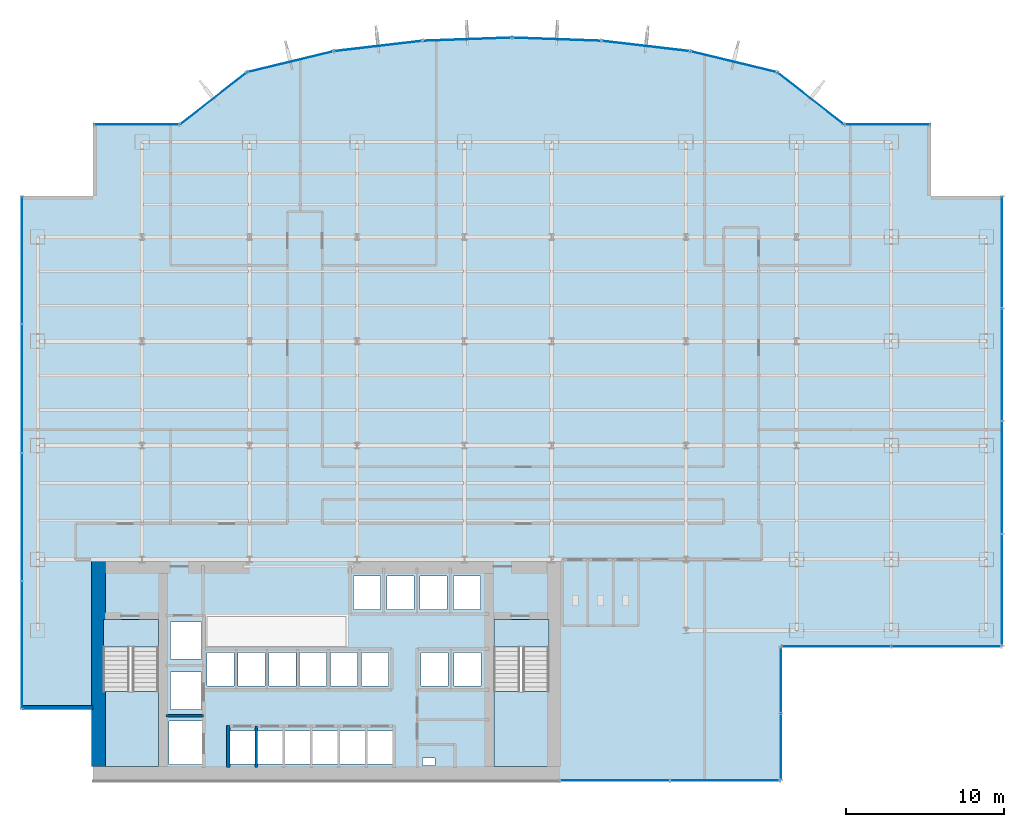
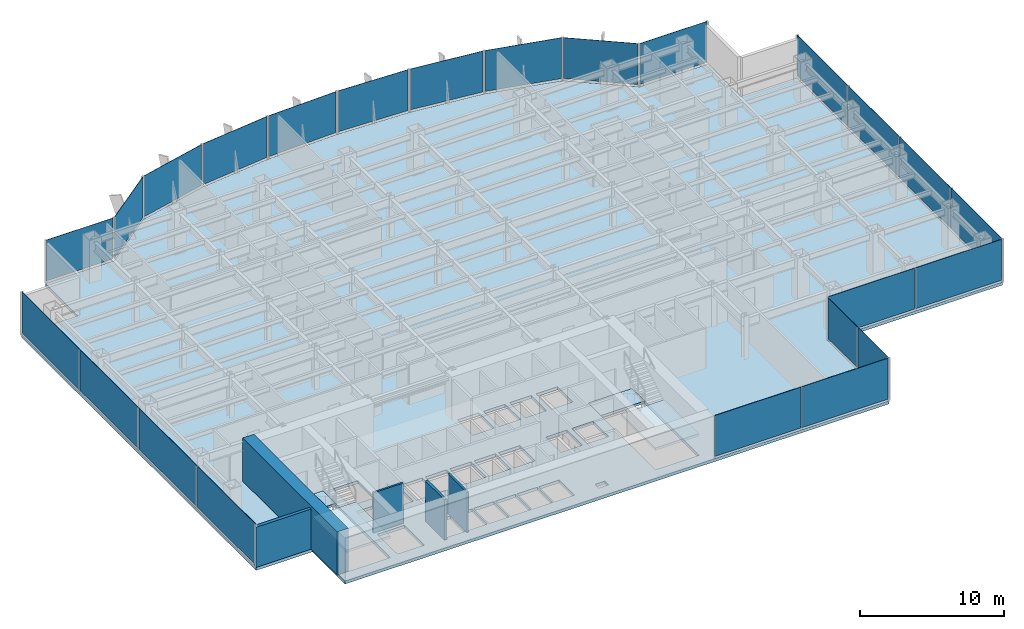
# One storey, part 16 of 22: 24 plates, 5 slabs, 5 walls, 17 elements without a shape of their own.
"""IFC4 building model written with IfcOpenShell, lengths in metres."""

from ifc_helpers import new_model, si_unit, derived_unit, direction, frame, frame_2d, origin, origin_2d, place, context, subcontext, project, spatial, polyline, rectangle, outline, extrude, source, transform, mapped, material, layer, layer_set, type_object, element, aggregate, save


model = new_model("IFC4")

# Units and contexts
model_context = context("Model", 3, precision=1e-05, world=origin(), true_north=direction((0.0, 1.0)))
body_context = subcontext(model_context, "Body", "Model", "MODEL_VIEW")
ifc_project = project(units=[si_unit("LENGTHUNIT", "METRE"), si_unit("AREAUNIT", "SQUARE_METRE"), si_unit("VOLUMEUNIT", "CUBIC_METRE"), si_unit("PLANEANGLEUNIT", "RADIAN"), si_unit("MASSUNIT", "GRAM", prefix="KILO"), derived_unit("THERMALTRANSMITTANCEUNIT", [(si_unit("POWERUNIT", "WATT"), 1), (si_unit("LENGTHUNIT", "METRE"), -2), (si_unit("THERMODYNAMICTEMPERATUREUNIT", "KELVIN"), -1)])], contexts=[model_context])

# Site, building, storey
site_placement = place(None, origin())
site = spatial("IfcSite", under=ifc_project, at=site_placement, CompositionType="ELEMENT")
building_placement = place(site_placement, origin())
building = spatial("IfcBuilding", under=site, at=building_placement, Name="Skarnbrae Concourse Arena and Tower", CompositionType="ELEMENT")
storey_placement = place(building_placement, frame((0.0, 0.0, 76.300048828125)))
storey = spatial("IfcBuildingStorey", under=building, at=storey_placement, Name="L18", CompositionType="ELEMENT", Elevation=76.300048828125)

# Stair, slab
ifc_material_1 = material(Name="Concrete 40 MPa (C40/50)", Category="concrete")
stair_type = type_object("IfcStairType", Name="STAIR-DOGLEG-1650", PredefinedType="HALF_TURN_STAIR", material=ifc_material_1)
stair_1_placement = place(storey_placement, origin())
stair_1 = element("IfcStair", 1, at=stair_1_placement, inside=storey, type_object=stair_type, Name="L18 Protected Exit Stair ST-1", PredefinedType="HALF_TURN_STAIR")
ifc_layer_1 = layer(ifc_material_1, 0.199951171875)
ifc_layer_set_1 = layer_set([ifc_layer_1], Name="Concrete 40 MPa (C40/50)")
slab_type_1 = type_object("IfcSlabType", Name="SLAB-LANDING-200", PredefinedType="LANDING", material=ifc_layer_set_1)
slab_1_placement = place(storey_placement, frame((0.0, 0.0, 1.625)))
slab_1 = element("IfcSlab", 2, at=slab_1_placement, type_object=slab_type_1, Name="ST-1 landing 1", PredefinedType="LANDING", context=body_context, shape_type="SweptSolid", body=[
    extrude(outline(polyline([(5.14990234375, 5.64990234375), (5.14990234375, 0.89990234375), (8.64990234375, 0.89990234375), (8.64990234375, 5.64990234375), (5.14990234375, 5.64990234375)])), origin(), (0.0, 0.0, 1.0), 0.199951171875),
])
aggregate(stair_1, [slab_1])

stair_2_placement = place(storey_placement, origin())
stair_2 = element("IfcStair", 3, at=stair_2_placement, inside=storey, type_object=stair_type, Name="L18 Protected Exit Stair ST-2", PredefinedType="HALF_TURN_STAIR")
slab_2_placement = place(storey_placement, frame((0.0, 0.0, 1.625)))
slab_2 = element("IfcSlab", 4, at=slab_2_placement, type_object=slab_type_1, Name="ST-2 landing 1", PredefinedType="LANDING", context=body_context, shape_type="SweptSolid", body=[
    extrude(outline(polyline([(29.85009765625, 5.64990234375), (29.85009765625, 0.89990234375), (33.35009765625, 0.89990234375), (33.35009765625, 5.64990234375), (29.85009765625, 5.64990234375)])), origin(), (0.0, 0.0, 1.0), 0.199951171875),
])
aggregate(stair_2, [slab_2])

# Slabs
slab_3_placement = place(storey_placement, frame((0.0, 0.0, -0.199951171875)))
element("IfcSlab", 5, at=slab_3_placement, inside=storey, type_object=slab_type_1, Name="L18 Core stair ST1 floor landing", PredefinedType="LANDING", context=body_context, shape_type="SweptSolid", body=[
    extrude(outline(polyline([(5.14990234375, 10.199951171875), (5.14990234375, 8.449951171875), (8.64990234375, 8.449951171875), (8.64990234375, 10.199951171875), (5.14990234375, 10.199951171875)])), origin(), (0.0, 0.0, 1.0), 0.199951171875),
])
slab_4_placement = place(storey_placement, frame((0.0, 0.0, -0.199951171875)))
element("IfcSlab", 6, at=slab_4_placement, inside=storey, type_object=slab_type_1, Name="L18 Core stair ST2 floor landing", PredefinedType="LANDING", context=body_context, shape_type="SweptSolid", body=[
    extrude(outline(polyline([(29.85009765625, 10.199951171875), (29.85009765625, 8.449951171875), (33.35009765625, 8.449951171875), (33.35009765625, 10.199951171875), (29.85009765625, 10.199951171875)])), origin(), (0.0, 0.0, 1.0), 0.199951171875),
])
ifc_layer_2 = layer(ifc_material_1, 0.25)
ifc_layer_set_2 = layer_set([ifc_layer_2], Name="Concrete 40 MPa (C40/50)")
slab_type_2 = type_object("IfcSlabType", Name="SLAB-TOWER-250", PredefinedType="FLOOR", material=ifc_layer_set_2)
slab_5_placement = place(storey_placement, frame((0.0, 0.0, -0.25)))
element("IfcSlab", 7, at=slab_5_placement, inside=storey, type_object=slab_type_2, Name="L18 Structural floor slab", PredefinedType="FLOOR", context=body_context, shape_type="SweptSolid", body=[
    extrude(outline(polyline([(4.5, 0.0), (48.0, 0.0), (48.0, 8.5), (62.0, 8.5), (62.0, 37.0), (57.5, 37.0), (57.5, 41.5), (52.0, 41.5), (47.766357421875, 44.811767578125), (42.2724609375, 46.140380859375), (36.65380859375, 46.796875), (31.0, 47.0), (25.34619140625, 46.796875), (19.7275390625, 46.140380859375), (14.233642578125, 44.811767578125), (10.0, 41.5), (4.5, 41.5), (4.5, 37.0), (0.0, 37.0), (0.0, 4.5), (4.5, 4.5), (4.5, 0.0)]), holes=[polyline([(13.14501953125, 3.155029296875), (14.7548828125, 3.155029296875), (14.7548828125, 1.044921875), (13.14501953125, 1.044921875), (13.14501953125, 3.155029296875)]), polyline([(16.4951171875, 3.155029296875), (16.4951171875, 1.044921875), (14.885009765625, 1.044921875), (14.885009765625, 3.155029296875), (16.4951171875, 3.155029296875)]), polyline([(18.235107421875, 3.155029296875), (18.235107421875, 1.044921875), (16.625, 1.044921875), (16.625, 3.155029296875), (18.235107421875, 3.155029296875)]), polyline([(18.364990234375, 3.155029296875), (19.97509765625, 3.155029296875), (19.97509765625, 1.044921875), (18.364990234375, 1.044921875), (18.364990234375, 3.155029296875)]), polyline([(11.455078125, 3.780029296875), (11.455078125, 1.02001953125), (9.294921875, 1.02001953125), (9.294921875, 3.780029296875), (11.455078125, 3.780029296875)]), polyline([(8.64990234375, 0.89990234375), (5.14990234375, 0.89990234375), (5.14990234375, 10.199951171875), (8.64990234375, 10.199951171875), (8.64990234375, 0.89990234375)]), polyline([(9.39501953125, 6.8798828125), (11.35498046875, 6.8798828125), (11.35498046875, 4.52001953125), (9.39501953125, 4.52001953125), (9.39501953125, 6.8798828125)]), polyline([(13.429931640625, 8.10498046875), (13.429931640625, 5.9951171875), (11.719970703125, 5.9951171875), (11.719970703125, 8.10498046875), (13.429931640625, 8.10498046875)]), polyline([(15.3798828125, 8.10498046875), (15.3798828125, 5.9951171875), (13.669921875, 5.9951171875), (13.669921875, 8.10498046875), (15.3798828125, 8.10498046875)]), polyline([(15.6201171875, 8.10498046875), (17.330078125, 8.10498046875), (17.330078125, 5.9951171875), (15.6201171875, 5.9951171875), (15.6201171875, 8.10498046875)]), polyline([(19.280029296875, 8.10498046875), (19.280029296875, 5.9951171875), (17.570068359375, 5.9951171875), (17.570068359375, 8.10498046875), (19.280029296875, 8.10498046875)]), polyline([(11.35498046875, 10.054931640625), (11.35498046875, 7.695068359375), (9.39501953125, 7.695068359375), (9.39501953125, 10.054931640625), (11.35498046875, 10.054931640625)]), polyline([(25.35009765625, 1.449951171875), (26.1201171875, 1.449951171875), (26.1201171875, 0.949951171875), (25.35009765625, 0.949951171875), (25.35009765625, 1.449951171875)]), polyline([(21.715087890625, 3.155029296875), (21.715087890625, 1.044921875), (20.10498046875, 1.044921875), (20.10498046875, 3.155029296875), (21.715087890625, 3.155029296875)]), polyline([(23.455078125, 3.155029296875), (23.455078125, 1.044921875), (21.844970703125, 1.044921875), (21.844970703125, 3.155029296875), (23.455078125, 3.155029296875)]), polyline([(33.35009765625, 10.199951171875), (33.35009765625, 0.89990234375), (29.85009765625, 0.89990234375), (29.85009765625, 10.199951171875), (33.35009765625, 10.199951171875)]), polyline([(21.22998046875, 8.10498046875), (21.22998046875, 5.9951171875), (19.52001953125, 5.9951171875), (19.52001953125, 8.10498046875), (21.22998046875, 8.10498046875)]), polyline([(23.179931640625, 8.10498046875), (23.179931640625, 5.9951171875), (21.469970703125, 5.9951171875), (21.469970703125, 8.10498046875), (23.179931640625, 8.10498046875)]), polyline([(25.235107421875, 8.10498046875), (26.945068359375, 8.10498046875), (26.945068359375, 5.9951171875), (25.235107421875, 5.9951171875), (25.235107421875, 8.10498046875)]), polyline([(29.044921875, 8.10498046875), (29.044921875, 5.9951171875), (27.3349609375, 5.9951171875), (27.3349609375, 8.10498046875), (29.044921875, 8.10498046875)]), polyline([(22.695068359375, 12.955078125), (22.695068359375, 10.844970703125), (20.985107421875, 10.844970703125), (20.985107421875, 12.955078125), (22.695068359375, 12.955078125)]), polyline([(23.0849609375, 12.955078125), (24.794921875, 12.955078125), (24.794921875, 10.844970703125), (23.0849609375, 10.844970703125), (23.0849609375, 12.955078125)]), polyline([(26.89501953125, 12.955078125), (26.89501953125, 10.844970703125), (25.18505859375, 10.844970703125), (25.18505859375, 12.955078125), (26.89501953125, 12.955078125)]), polyline([(28.9951171875, 12.955078125), (28.9951171875, 10.844970703125), (27.284912109375, 10.844970703125), (27.284912109375, 12.955078125), (28.9951171875, 12.955078125)])]), origin(), (0.0, 0.0, 1.0), 0.25),
])

# Curtain wall, plates
ifc_material_2 = material(Name="Bronze anodised aluminium 6063-T6", Category="aluminium")
curtain_wall_type = type_object("IfcCurtainWallType", Name="CW-SYS-02-LOWZONE", PredefinedType="USERDEFINED", material=ifc_material_2)
curtain_wall_1_placement = place(storey_placement, origin())
curtain_wall_1 = element("IfcCurtainWall", 8, at=curtain_wall_1_placement, inside=storey, type_object=curtain_wall_type, Name="L18 Unitised curtain wall CW-L18-SE-SPINE", ObjectType="UNITISED CURTAIN WALL", PredefinedType="USERDEFINED")
ifc_material_3 = material(Name="Low-E triple insulating glass", Category="glass")
ifc_layer_3 = layer(ifc_material_3, 0.031982421875)
ifc_layer_set_3 = layer_set([ifc_layer_3], Name="Low-E triple insulating glass")
plate_type = type_object("IfcPlateType", Name="CWP-CW-02", PredefinedType="CURTAIN_PANEL", material=ifc_layer_set_3)
shared_shape_1 = source(origin(), body_context, "Body", "SweptSolid", [
    extrude(rectangle(XDim=6.8798828125, YDim=0.031982421875, at=origin_2d()), origin(), (0.0, 0.0, 1.0), 3.4599609375),
])
plate_1_placement = place(storey_placement, frame((37.52001953125, 0.0, 0.18994140625), z_axis=(0.0, 0.0, 1.0), x_axis=(1.0, 0.0, 0.0)))
plate_1 = element("IfcPlate", 9, at=plate_1_placement, type_object=plate_type, Name="CW-L18-SE-SPINE Low-E Glazing Panel 1", PredefinedType="CURTAIN_PANEL", context=body_context, shape_type="MappedRepresentation", body=[
    mapped(shared_shape_1, transform((0.0, 0.0, 0.0))),
])
plate_2_placement = place(storey_placement, frame((44.47998046875, 0.0, 0.18994140625), z_axis=(0.0, 0.0, 1.0), x_axis=(1.0, 0.0, 0.0)))
plate_2 = element("IfcPlate", 10, at=plate_2_placement, type_object=plate_type, Name="CW-L18-SE-SPINE Low-E Glazing Panel 2", PredefinedType="CURTAIN_PANEL", context=body_context, shape_type="MappedRepresentation", body=[
    mapped(shared_shape_1, transform((0.0, 0.0, 0.0))),
])
aggregate(curtain_wall_1, [plate_1, plate_2])

curtain_wall_2_placement = place(storey_placement, origin())
curtain_wall_2 = element("IfcCurtainWall", 11, at=curtain_wall_2_placement, inside=storey, type_object=curtain_wall_type, Name="L18 Unitised curtain wall CW-L18-E03", ObjectType="UNITISED CURTAIN WALL", PredefinedType="USERDEFINED")
plate_3_placement = place(storey_placement, frame((51.52001953125, 8.5, 0.18994140625), z_axis=(0.0, 0.0, 1.0), x_axis=(1.0, 0.0, 0.0)))
plate_3 = element("IfcPlate", 12, at=plate_3_placement, type_object=plate_type, Name="CW-L18-E03 Low-E Glazing Panel 1", PredefinedType="CURTAIN_PANEL", context=body_context, shape_type="MappedRepresentation", body=[
    mapped(shared_shape_1, transform((0.0, 0.0, 0.0))),
])
plate_4_placement = place(storey_placement, frame((58.47998046875, 8.5, 0.18994140625), z_axis=(0.0, 0.0, 1.0), x_axis=(1.0, 0.0, 0.0)))
plate_4 = element("IfcPlate", 13, at=plate_4_placement, type_object=plate_type, Name="CW-L18-E03 Low-E Glazing Panel 2", PredefinedType="CURTAIN_PANEL", context=body_context, shape_type="MappedRepresentation", body=[
    mapped(shared_shape_1, transform((0.0, 0.0, 0.0))),
])
aggregate(curtain_wall_2, [plate_3, plate_4])

curtain_wall_3_placement = place(storey_placement, origin())
curtain_wall_3 = element("IfcCurtainWall", 14, at=curtain_wall_3_placement, inside=storey, type_object=curtain_wall_type, Name="L18 Unitised curtain wall CW-L18-E02", ObjectType="UNITISED CURTAIN WALL", PredefinedType="USERDEFINED")
shared_shape_2 = source(origin(), body_context, "Body", "SweptSolid", [
    extrude(rectangle(XDim=4.1298828125, YDim=0.031982421875, at=origin_2d()), origin(), (0.0, 0.0, 1.0), 3.4599609375),
])
plate_5_placement = place(storey_placement, frame((48.0, 2.14501953125, 0.18994140625), z_axis=(0.0, 0.0, 1.0), x_axis=(0.0, 1.0, 0.0)))
plate_5 = element("IfcPlate", 15, at=plate_5_placement, type_object=plate_type, Name="CW-L18-E02 Low-E Glazing Panel 1", PredefinedType="CURTAIN_PANEL", context=body_context, shape_type="MappedRepresentation", body=[
    mapped(shared_shape_2, transform((0.0, 0.0, 0.0))),
])
plate_6_placement = place(storey_placement, frame((48.0, 6.35498046875, 0.18994140625), z_axis=(0.0, 0.0, 1.0), x_axis=(0.0, 1.0, 0.0)))
plate_6 = element("IfcPlate", 16, at=plate_6_placement, type_object=plate_type, Name="CW-L18-E02 Low-E Glazing Panel 2", PredefinedType="CURTAIN_PANEL", context=body_context, shape_type="MappedRepresentation", body=[
    mapped(shared_shape_2, transform((0.0, 0.0, 0.0))),
])
aggregate(curtain_wall_3, [plate_5, plate_6])

curtain_wall_4_placement = place(storey_placement, origin())
curtain_wall_4 = element("IfcCurtainWall", 17, at=curtain_wall_4_placement, inside=storey, type_object=curtain_wall_type, Name="L18 Unitised curtain wall CW-L18-E04", ObjectType="UNITISED CURTAIN WALL", PredefinedType="USERDEFINED")
shared_shape_3 = source(origin(), body_context, "Body", "SweptSolid", [
    extrude(rectangle(XDim=7.0048828125, YDim=0.031982421875, at=origin_2d()), origin(), (0.0, 0.0, 1.0), 3.4599609375),
])
plate_7_placement = place(storey_placement, frame((62.0, 12.08251953125, 0.18994140625), z_axis=(0.0, 0.0, 1.0), x_axis=(0.0, 1.0, 0.0)))
plate_7 = element("IfcPlate", 18, at=plate_7_placement, type_object=plate_type, Name="CW-L18-E04 Low-E Glazing Panel 1", PredefinedType="CURTAIN_PANEL", context=body_context, shape_type="MappedRepresentation", body=[
    mapped(shared_shape_3, transform((0.0, 0.0, 0.0))),
])
plate_8_placement = place(storey_placement, frame((62.0, 33.41748046875, 0.18994140625), z_axis=(0.0, 0.0, 1.0), x_axis=(0.0, 1.0, 0.0)))
plate_8 = element("IfcPlate", 19, at=plate_8_placement, type_object=plate_type, Name="CW-L18-E04 Low-E Glazing Panel 4", PredefinedType="CURTAIN_PANEL", context=body_context, shape_type="MappedRepresentation", body=[
    mapped(shared_shape_3, transform((0.0, 0.0, 0.0))),
])
shared_shape_4 = source(origin(), body_context, "Body", "SweptSolid", [
    extrude(rectangle(XDim=7.044921875, YDim=0.031982421875, at=origin_2d()), origin(), (0.0, 0.0, 1.0), 3.4599609375),
])
plate_9_placement = place(storey_placement, frame((62.0, 19.1875, 0.18994140625), z_axis=(0.0, 0.0, 1.0), x_axis=(0.0, 1.0, 0.0)))
plate_9 = element("IfcPlate", 20, at=plate_9_placement, type_object=plate_type, Name="CW-L18-E04 Low-E Glazing Panel 2", PredefinedType="CURTAIN_PANEL", context=body_context, shape_type="MappedRepresentation", body=[
    mapped(shared_shape_4, transform((0.0, 0.0, 0.0))),
])
plate_10_placement = place(storey_placement, frame((62.0, 26.3125, 0.18994140625), z_axis=(0.0, 0.0, 1.0), x_axis=(0.0, 1.0, 0.0)))
plate_10 = element("IfcPlate", 21, at=plate_10_placement, type_object=plate_type, Name="CW-L18-E04 Low-E Glazing Panel 3", PredefinedType="CURTAIN_PANEL", context=body_context, shape_type="MappedRepresentation", body=[
    mapped(shared_shape_4, transform((0.0, 0.0, 0.0))),
])
aggregate(curtain_wall_4, [plate_7, plate_9, plate_10, plate_8])

# Curtain wall, plate
curtain_wall_5_placement = place(storey_placement, origin())
curtain_wall_5 = element("IfcCurtainWall", 22, at=curtain_wall_5_placement, inside=storey, type_object=curtain_wall_type, Name="L18 Unitised curtain wall CW-L18-E07", ObjectType="UNITISED CURTAIN WALL", PredefinedType="USERDEFINED")
shared_shape_5 = source(origin(), body_context, "Body", "SweptSolid", [
    extrude(rectangle(XDim=5.340087890625, YDim=0.031982421875, at=origin_2d()), origin(), (0.0, 0.0, 1.0), 3.4599609375),
])
plate_11_placement = place(storey_placement, frame((54.75, 41.5, 0.18994140625), z_axis=(0.0, 0.0, 1.0), x_axis=(-1.0, 0.0, 0.0)))
plate_11 = element("IfcPlate", 23, at=plate_11_placement, type_object=plate_type, Name="CW-L18-E07 Low-E Glazing Panel 1", PredefinedType="CURTAIN_PANEL", context=body_context, shape_type="MappedRepresentation", body=[
    mapped(shared_shape_5, transform((0.0, 0.0, 0.0))),
])
aggregate(curtain_wall_5, [plate_11])

curtain_wall_6_placement = place(storey_placement, origin())
curtain_wall_6 = element("IfcCurtainWall", 24, at=curtain_wall_6_placement, inside=storey, type_object=curtain_wall_type, Name="L18 Unitised curtain wall CW-L18-E16", ObjectType="UNITISED CURTAIN WALL", PredefinedType="USERDEFINED")
plate_12_placement = place(storey_placement, frame((7.25, 41.5, 0.18994140625), z_axis=(0.0, 0.0, 1.0), x_axis=(-1.0, 0.0, 0.0)))
plate_12 = element("IfcPlate", 25, at=plate_12_placement, type_object=plate_type, Name="CW-L18-E16 Low-E Glazing Panel 1", PredefinedType="CURTAIN_PANEL", context=body_context, shape_type="MappedRepresentation", body=[
    mapped(shared_shape_5, transform((0.0, 0.0, 0.0))),
])
aggregate(curtain_wall_6, [plate_12])

curtain_wall_7_placement = place(storey_placement, origin())
curtain_wall_7 = element("IfcCurtainWall", 26, at=curtain_wall_7_placement, inside=storey, type_object=curtain_wall_type, Name="L18 Unitised curtain wall CW-L18-E08", ObjectType="UNITISED CURTAIN WALL", PredefinedType="USERDEFINED")
shared_shape_6 = source(origin(), body_context, "Body", "SweptSolid", [
    extrude(rectangle(XDim=5.215087890625, YDim=0.031982421875, at=origin_2d()), origin(), (0.0, 0.0, 1.0), 3.4599609375),
])
plate_13_placement = place(storey_placement, frame((49.88330078125, 43.156005859375, 0.18994140625), z_axis=(0.0, 0.0, 1.0), x_axis=(-0.787651726054, 0.616120733658, 0.0)))
plate_13 = element("IfcPlate", 27, at=plate_13_placement, type_object=plate_type, Name="CW-L18-E08 Low-E Glazing Panel 1", PredefinedType="CURTAIN_PANEL", context=body_context, shape_type="MappedRepresentation", body=[
    mapped(shared_shape_6, transform((0.0, 0.0, 0.0))),
])
aggregate(curtain_wall_7, [plate_13])

curtain_wall_8_placement = place(storey_placement, origin())
curtain_wall_8 = element("IfcCurtainWall", 28, at=curtain_wall_8_placement, inside=storey, type_object=curtain_wall_type, Name="L18 Unitised curtain wall CW-L18-E15", ObjectType="UNITISED CURTAIN WALL", PredefinedType="USERDEFINED")
plate_14_placement = place(storey_placement, frame((12.11669921875, 43.156005859375, 0.18994140625), z_axis=(0.0, 0.0, 1.0), x_axis=(-0.787651726054, -0.616120733658, 0.0)))
plate_14 = element("IfcPlate", 29, at=plate_14_placement, type_object=plate_type, Name="CW-L18-E15 Low-E Glazing Panel 1", PredefinedType="CURTAIN_PANEL", context=body_context, shape_type="MappedRepresentation", body=[
    mapped(shared_shape_6, transform((0.0, 0.0, 0.0))),
])
aggregate(curtain_wall_8, [plate_14])

curtain_wall_9_placement = place(storey_placement, origin())
curtain_wall_9 = element("IfcCurtainWall", 30, at=curtain_wall_9_placement, inside=storey, type_object=curtain_wall_type, Name="L18 Unitised curtain wall CW-L18-E09", ObjectType="UNITISED CURTAIN WALL", PredefinedType="USERDEFINED")
shared_shape_7 = source(origin(), body_context, "Body", "SweptSolid", [
    extrude(rectangle(XDim=5.4921875, YDim=0.031982421875, at=origin_2d()), origin(), (0.0, 0.0, 1.0), 3.4599609375),
])
plate_15_placement = place(storey_placement, frame((45.019287109375, 45.47607421875, 0.18994140625), z_axis=(0.0, 0.0, 1.0), x_axis=(-0.971973721569, 0.235089524607, 0.0)))
plate_15 = element("IfcPlate", 31, at=plate_15_placement, type_object=plate_type, Name="CW-L18-E09 Low-E Glazing Panel 1", PredefinedType="CURTAIN_PANEL", context=body_context, shape_type="MappedRepresentation", body=[
    mapped(shared_shape_7, transform((0.0, 0.0, 0.0))),
])
aggregate(curtain_wall_9, [plate_15])

curtain_wall_10_placement = place(storey_placement, origin())
curtain_wall_10 = element("IfcCurtainWall", 32, at=curtain_wall_10_placement, inside=storey, type_object=curtain_wall_type, Name="L18 Unitised curtain wall CW-L18-E14", ObjectType="UNITISED CURTAIN WALL", PredefinedType="USERDEFINED")
plate_16_placement = place(storey_placement, frame((16.980712890625, 45.47607421875, 0.18994140625), z_axis=(0.0, 0.0, 1.0), x_axis=(-0.971973721569, -0.235089524607, 0.0)))
plate_16 = element("IfcPlate", 33, at=plate_16_placement, type_object=plate_type, Name="CW-L18-E14 Low-E Glazing Panel 1", PredefinedType="CURTAIN_PANEL", context=body_context, shape_type="MappedRepresentation", body=[
    mapped(shared_shape_7, transform((0.0, 0.0, 0.0))),
])
aggregate(curtain_wall_10, [plate_16])

curtain_wall_11_placement = place(storey_placement, origin())
curtain_wall_11 = element("IfcCurtainWall", 34, at=curtain_wall_11_placement, inside=storey, type_object=curtain_wall_type, Name="L18 Unitised curtain wall CW-L18-E10", ObjectType="UNITISED CURTAIN WALL", PredefinedType="USERDEFINED")
shared_shape_8 = source(origin(), body_context, "Body", "SweptSolid", [
    extrude(rectangle(XDim=5.49658203125, YDim=0.031982421875, at=origin_2d()), origin(), (0.0, 0.0, 1.0), 3.4599609375),
])
plate_17_placement = place(storey_placement, frame((39.463134765625, 46.46875, 0.18994140625), z_axis=(0.0, 0.0, 1.0), x_axis=(-0.99324457001, 0.116039752435, 0.0)))
plate_17 = element("IfcPlate", 35, at=plate_17_placement, type_object=plate_type, Name="CW-L18-E10 Low-E Glazing Panel 1", PredefinedType="CURTAIN_PANEL", context=body_context, shape_type="MappedRepresentation", body=[
    mapped(shared_shape_8, transform((0.0, 0.0, 0.0))),
])
aggregate(curtain_wall_11, [plate_17])

curtain_wall_12_placement = place(storey_placement, origin())
curtain_wall_12 = element("IfcCurtainWall", 36, at=curtain_wall_12_placement, inside=storey, type_object=curtain_wall_type, Name="L18 Unitised curtain wall CW-L18-E13", ObjectType="UNITISED CURTAIN WALL", PredefinedType="USERDEFINED")
plate_18_placement = place(storey_placement, frame((22.536865234375, 46.46875, 0.18994140625), z_axis=(0.0, 0.0, 1.0), x_axis=(-0.99324457001, -0.116039752435, 0.0)))
plate_18 = element("IfcPlate", 37, at=plate_18_placement, type_object=plate_type, Name="CW-L18-E13 Low-E Glazing Panel 1", PredefinedType="CURTAIN_PANEL", context=body_context, shape_type="MappedRepresentation", body=[
    mapped(shared_shape_8, transform((0.0, 0.0, 0.0))),
])
aggregate(curtain_wall_12, [plate_18])

curtain_wall_13_placement = place(storey_placement, origin())
curtain_wall_13 = element("IfcCurtainWall", 38, at=curtain_wall_13_placement, inside=storey, type_object=curtain_wall_type, Name="L18 Unitised curtain wall CW-L18-E11", ObjectType="UNITISED CURTAIN WALL", PredefinedType="USERDEFINED")
shared_shape_9 = source(origin(), body_context, "Body", "SweptSolid", [
    extrude(rectangle(XDim=5.49755859375, YDim=0.031982421875, at=origin_2d()), origin(), (0.0, 0.0, 1.0), 3.4599609375),
])
plate_19_placement = place(storey_placement, frame((33.826904296875, 46.8984375, 0.18994140625), z_axis=(0.0, 0.0, 1.0), x_axis=(-0.999355425188, 0.035898943527, 0.0)))
plate_19 = element("IfcPlate", 39, at=plate_19_placement, type_object=plate_type, Name="CW-L18-E11 Low-E Glazing Panel 1", PredefinedType="CURTAIN_PANEL", context=body_context, shape_type="MappedRepresentation", body=[
    mapped(shared_shape_9, transform((0.0, 0.0, 0.0))),
])
aggregate(curtain_wall_13, [plate_19])

curtain_wall_14_placement = place(storey_placement, origin())
curtain_wall_14 = element("IfcCurtainWall", 40, at=curtain_wall_14_placement, inside=storey, type_object=curtain_wall_type, Name="L18 Unitised curtain wall CW-L18-E12", ObjectType="UNITISED CURTAIN WALL", PredefinedType="USERDEFINED")
plate_20_placement = place(storey_placement, frame((28.173095703125, 46.8984375, 0.18994140625), z_axis=(0.0, 0.0, 1.0), x_axis=(-0.999355425188, -0.035898943527, 0.0)))
plate_20 = element("IfcPlate", 41, at=plate_20_placement, type_object=plate_type, Name="CW-L18-E12 Low-E Glazing Panel 1", PredefinedType="CURTAIN_PANEL", context=body_context, shape_type="MappedRepresentation", body=[
    mapped(shared_shape_9, transform((0.0, 0.0, 0.0))),
])
aggregate(curtain_wall_14, [plate_20])

# Curtain wall, plates
curtain_wall_15_placement = place(storey_placement, origin())
curtain_wall_15 = element("IfcCurtainWall", 42, at=curtain_wall_15_placement, inside=storey, type_object=curtain_wall_type, Name="L18 Unitised curtain wall CW-L18-E19", ObjectType="UNITISED CURTAIN WALL", PredefinedType="USERDEFINED")
shared_shape_10 = source(origin(), body_context, "Body", "SweptSolid", [
    extrude(rectangle(XDim=8.0048828125, YDim=0.031982421875, at=origin_2d()), origin(), (0.0, 0.0, 1.0), 3.4599609375),
])
plate_21_placement = place(storey_placement, frame((0.0, 32.91748046875, 0.18994140625), z_axis=(0.0, 0.0, 1.0), x_axis=(0.0, -1.0, 0.0)))
plate_21 = element("IfcPlate", 43, at=plate_21_placement, type_object=plate_type, Name="CW-L18-E19 Low-E Glazing Panel 1", PredefinedType="CURTAIN_PANEL", context=body_context, shape_type="MappedRepresentation", body=[
    mapped(shared_shape_10, transform((0.0, 0.0, 0.0))),
])
plate_22_placement = place(storey_placement, frame((0.0, 8.58251953125, 0.18994140625), z_axis=(0.0, 0.0, 1.0), x_axis=(0.0, -1.0, 0.0)))
plate_22 = element("IfcPlate", 44, at=plate_22_placement, type_object=plate_type, Name="CW-L18-E19 Low-E Glazing Panel 4", PredefinedType="CURTAIN_PANEL", context=body_context, shape_type="MappedRepresentation", body=[
    mapped(shared_shape_10, transform((0.0, 0.0, 0.0))),
])
shared_shape_11 = source(origin(), body_context, "Body", "SweptSolid", [
    extrude(rectangle(XDim=8.044921875, YDim=0.031982421875, at=origin_2d()), origin(), (0.0, 0.0, 1.0), 3.4599609375),
])
plate_23_placement = place(storey_placement, frame((0.0, 24.8125, 0.18994140625), z_axis=(0.0, 0.0, 1.0), x_axis=(0.0, -1.0, 0.0)))
plate_23 = element("IfcPlate", 45, at=plate_23_placement, type_object=plate_type, Name="CW-L18-E19 Low-E Glazing Panel 2", PredefinedType="CURTAIN_PANEL", context=body_context, shape_type="MappedRepresentation", body=[
    mapped(shared_shape_11, transform((0.0, 0.0, 0.0))),
])
plate_24_placement = place(storey_placement, frame((0.0, 16.6875, 0.18994140625), z_axis=(0.0, 0.0, 1.0), x_axis=(0.0, -1.0, 0.0)))
plate_24 = element("IfcPlate", 46, at=plate_24_placement, type_object=plate_type, Name="CW-L18-E19 Low-E Glazing Panel 3", PredefinedType="CURTAIN_PANEL", context=body_context, shape_type="MappedRepresentation", body=[
    mapped(shared_shape_11, transform((0.0, 0.0, 0.0))),
])
aggregate(curtain_wall_15, [plate_21, plate_23, plate_24, plate_22])

# Walls
ifc_material_4 = material(Name="Concrete 70 MPa (C70/85)", Category="concrete")
ifc_layer_4 = layer(ifc_material_4, 0.89990234375)
ifc_layer_set_4 = layer_set([ifc_layer_4], Name="Concrete 70 MPa (C70/85)")
wall_type_1 = type_object("IfcWallType", Name="WALL-CORE-900-C70", PredefinedType="SHEAR", material=ifc_layer_set_4)
shared_shape_12 = source(origin(), body_context, "Body", "SweptSolid", [
    extrude(rectangle(XDim=13.10009765625, YDim=0.89990234375, at=frame_2d((6.550048828125, 0.0))), origin(), (0.0, 0.0, 1.0), 3.64990234375),
])
wall_1_placement = place(storey_placement, frame((4.85009765625, 0.89990234375, 0.0), z_axis=(0.0, 0.0, 1.0), x_axis=(0.0, 1.0, 0.0)))
element("IfcWall", 47, at=wall_1_placement, inside=storey, type_object=wall_type_1, Name="L18 Rear core shear wall CW-W", PredefinedType="SHEAR", context=body_context, shape_type="MappedRepresentation", body=[
    mapped(shared_shape_12, transform((0.0, 0.0, 0.0))),
])
ifc_material_5 = material(Name="Precast concrete 40 MPa (C40/50)", Category="concrete")
ifc_layer_5 = layer(ifc_material_5, 0.25)
ifc_layer_set_5 = layer_set([ifc_layer_5], Name="Precast concrete 40 MPa (C40/50)")
wall_type_2 = type_object("IfcWallType", Name="WALL-EXT-SPANDREL-250", PredefinedType="STANDARD", material=ifc_layer_set_5)
shared_shape_13 = source(origin(), body_context, "Body", "SweptSolid", [
    extrude(rectangle(XDim=4.5, YDim=0.25, at=frame_2d((2.25, 0.0))), origin(), (0.0, 0.0, 1.0), 3.39990234375),
])
wall_2_placement = place(storey_placement, frame((0.0, 4.625, 0.0), z_axis=(0.0, 0.0, 1.0), x_axis=(1.0, 0.0, 0.0)))
element("IfcWall", 48, at=wall_2_placement, inside=storey, type_object=wall_type_2, Name="L18 Notched corner insulated return wall 20", PredefinedType="STANDARD", context=body_context, shape_type="MappedRepresentation", body=[
    mapped(shared_shape_13, transform((0.0, 0.0, 0.0))),
])
ifc_material_6 = material(Name="Gypsum board on cold-formed steel studs", Category="steel")
ifc_layer_6 = layer(ifc_material_6, 0.14990234375)
ifc_layer_set_6 = layer_set([ifc_layer_6], Name="Gypsum board on cold-formed steel studs")
wall_type_3 = type_object("IfcWallType", Name="WALL-PART-150", PredefinedType="PARTITIONING", material=ifc_layer_set_6)
shared_shape_14 = source(origin(), body_context, "Body", "SweptSolid", [
    extrude(rectangle(XDim=2.39990234375, YDim=0.14990234375, at=frame_2d((1.199951171875, 0.0))), origin(), (0.0, 0.0, 1.0), 3.39990234375),
])
wall_3_placement = place(storey_placement, frame((9.10009765625, 4.10009765625, 0.0), z_axis=(0.0, 0.0, 1.0), x_axis=(1.0, 0.0, 0.0)))
element("IfcWall", 49, at=wall_3_placement, inside=storey, type_object=wall_type_3, Name="L18 Interior partition wall W-L18-FL-D1", PredefinedType="PARTITIONING", context=body_context, shape_type="MappedRepresentation", body=[
    mapped(shared_shape_14, transform((0.0, 0.0, 0.0))),
])
ifc_layer_7 = layer(ifc_material_6, 0.199951171875)
ifc_layer_set_7 = layer_set([ifc_layer_7], Name="Gypsum board on cold-formed steel studs")
wall_type_4 = type_object("IfcWallType", Name="WALL-PART-200-2HR", PredefinedType="PARTITIONING", material=ifc_layer_set_7)
shared_shape_15 = source(origin(), body_context, "Body", "SweptSolid", [
    extrude(rectangle(XDim=2.64990234375, YDim=0.199951171875, at=frame_2d((1.324951171875, 0.0))), origin(), (0.0, 0.0, 1.0), 3.39990234375),
])
wall_4_placement = place(storey_placement, frame((13.050048828125, 0.85009765625, 0.0), z_axis=(0.0, 0.0, 1.0), x_axis=(0.0, 1.0, 0.0)))
element("IfcWall", 50, at=wall_4_placement, inside=storey, type_object=wall_type_4, Name="L18 Interior partition wall W-L18-B1-W", PredefinedType="PARTITIONING", context=body_context, shape_type="MappedRepresentation", body=[
    mapped(shared_shape_15, transform((0.0, 0.0, 0.0))),
])
shared_shape_16 = source(origin(), body_context, "Body", "SweptSolid", [
    extrude(rectangle(XDim=2.599853515625, YDim=0.14990234375, at=frame_2d((1.2998046875, 0.0))), origin(), (0.0, 0.0, 1.0), 3.39990234375),
])
wall_5_placement = place(storey_placement, frame((14.820068359375, 0.85009765625, 0.0), z_axis=(0.0, 0.0, 1.0), x_axis=(0.0, 1.0, 0.0)))
element("IfcWall", 51, at=wall_5_placement, inside=storey, type_object=wall_type_3, Name="L18 Interior partition wall W-L18-B1-P1", PredefinedType="PARTITIONING", context=body_context, shape_type="MappedRepresentation", body=[
    mapped(shared_shape_16, transform((0.0, 0.0, 0.0))),
])

save(model, "model.ifc")
